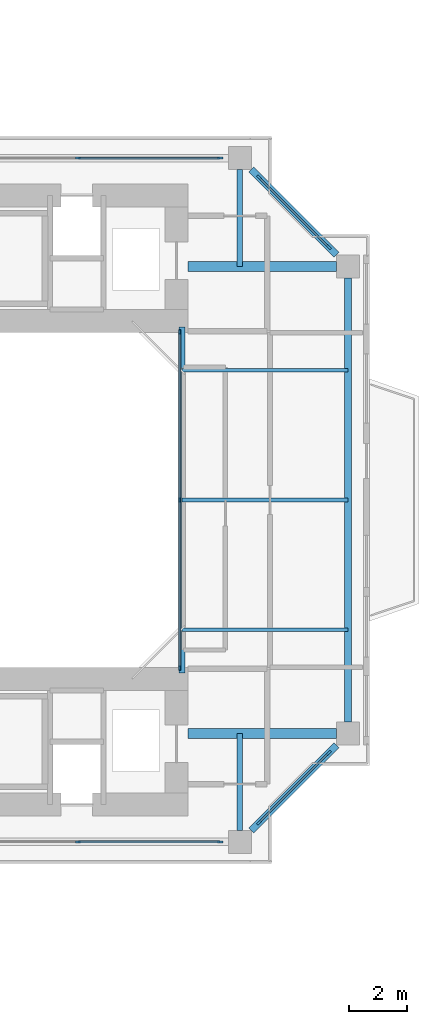
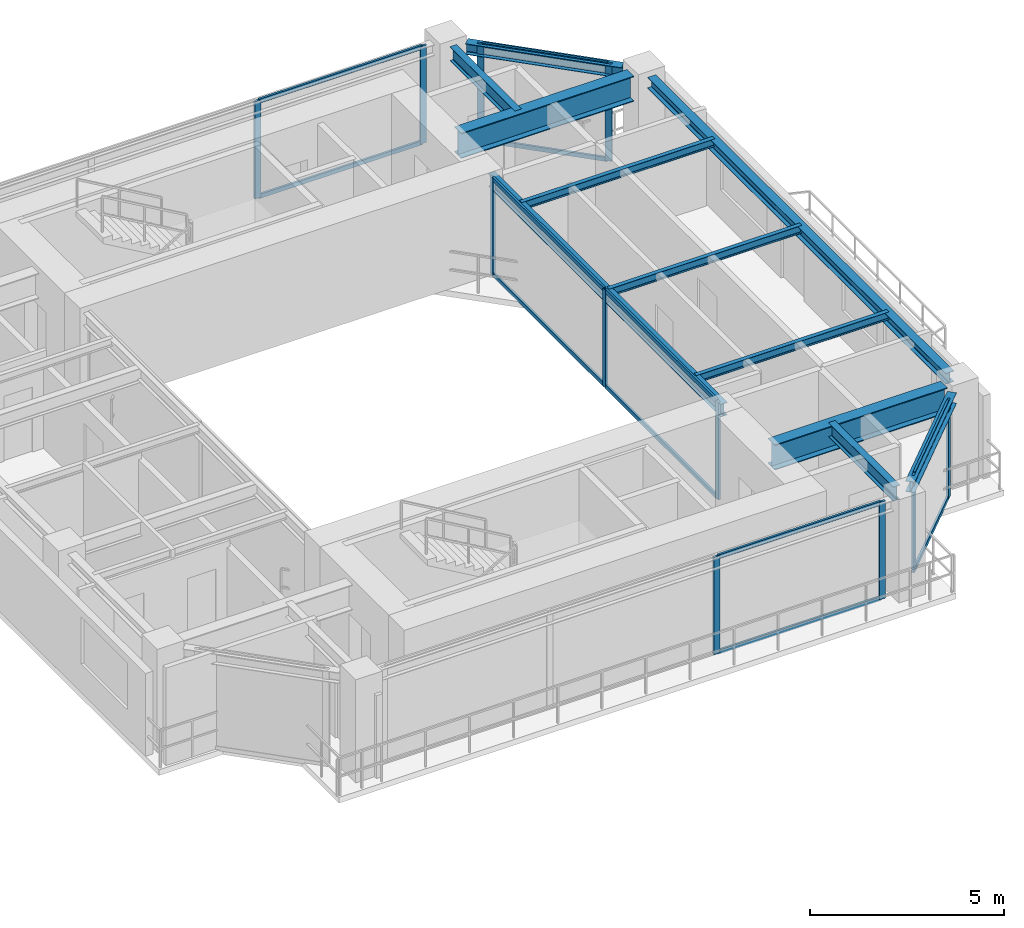
# One storey, part 11 of 23: 23 members, 11 beams, 5 elements without a shape of their own.
"""IFC4 building model written with IfcOpenShell, lengths in metres."""

from ifc_helpers import new_model, si_unit, direction, frame, origin, origin_2d, place, context, subcontext, project, spatial, rectangle, i_section, extrude, source, transform, mapped, material, layer, layer_set, material_profile, profile_set, type_object, element, aggregate, save


model = new_model("IFC4")

# Units and contexts
model_context = context("Model", 3, precision=1e-05, world=origin(), true_north=direction((0.0, 1.0)))
body_context = subcontext(model_context, "Body", "Model", "MODEL_VIEW")
ifc_project = project(units=[si_unit("LENGTHUNIT", "METRE"), si_unit("AREAUNIT", "SQUARE_METRE"), si_unit("VOLUMEUNIT", "CUBIC_METRE"), si_unit("PLANEANGLEUNIT", "RADIAN"), si_unit("MASSUNIT", "GRAM", prefix="KILO"), si_unit("THERMODYNAMICTEMPERATUREUNIT", "KELVIN"), si_unit("POWERUNIT", "WATT")], contexts=[model_context])

# Site, building, storey
site_placement = place(None, origin())
site = spatial("IfcSite", under=ifc_project, at=site_placement, CompositionType="ELEMENT")
building_placement = place(site_placement, origin())
building = spatial("IfcBuilding", under=site, at=building_placement, Name="Qiaomeng Ring Towers", CompositionType="ELEMENT")
storey_placement = place(building_placement, frame((0.0, 0.0, 86.0)))
storey = spatial("IfcBuildingStorey", under=building, at=storey_placement, Name="L24", CompositionType="ELEMENT", Elevation=86.0)

# Beams
ifc_material_1 = material(Name="Steel Q355B", Category="steel")
ifc_material_profile_1 = material_profile(ifc_material_1, i_section(OverallWidth=0.199951171875, OverallDepth=0.39990234375, WebThickness=0.008056640625, FlangeThickness=0.012939453125, FilletRadius=0.01611328125, at=origin_2d()), Name="HN 400x200x8x13")
ifc_profile_set_1 = profile_set([ifc_material_profile_1], Name="Steel Q355B")
beam_type_1 = type_object("IfcBeamType", Name="STR-BM-HN400", PredefinedType="SPANDREL", material=ifc_profile_set_1)
shared_shape_1 = source(origin(), body_context, "Body", "SweptSolid", [
    extrude(i_section(OverallWidth=0.199951171875, OverallDepth=0.39990234375, WebThickness=0.008056640625, FlangeThickness=0.012939453125, FilletRadius=0.01611328125, at=origin_2d()), origin(), (0.0, 0.0, 1.0), 12.0),
])
beam_1_placement = place(storey_placement, frame((66.60009765625, 17.0, 2.8701171875), z_axis=(0.0, 1.0, 0.0), x_axis=(-1.0, 0.0, 0.0)))
element("IfcBeam", 1, at=beam_1_placement, inside=storey, type_object=beam_type_1, Name="L24 beam STR-BM-L24-T2-WELL-E", PredefinedType="SPANDREL", context=body_context, shape_type="MappedRepresentation", body=[
    mapped(shared_shape_1, transform((0.0, 0.0, 0.0), x_axis=(1.0, 0.0, 0.0), y_axis=(0.0, 1.0, 0.0), z_axis=(0.0, 0.0, 1.0), scale=1.0)),
])
ifc_material_profile_2 = material_profile(ifc_material_1, i_section(OverallWidth=0.25, OverallDepth=0.340087890625, WebThickness=0.009033203125, FlangeThickness=0.013916015625, FilletRadius=0.02001953125, at=origin_2d()), Name="HM 340x250x9x14")
ifc_profile_set_2 = profile_set([ifc_material_profile_2], Name="Steel Q355B")
beam_type_2 = type_object("IfcBeamType", Name="STR-BM-HM340", PredefinedType="SPANDREL", material=ifc_profile_set_2)
shared_shape_2 = source(origin(), body_context, "Body", "SweptSolid", [
    extrude(i_section(OverallWidth=0.25, OverallDepth=0.340087890625, WebThickness=0.009033203125, FlangeThickness=0.013916015625, FilletRadius=0.02001953125, at=origin_2d()), origin(), (0.0, 0.0, 1.0), 15.40185546875),
])
beam_2_placement = place(storey_placement, frame((72.35009765625, 15.299072265625, 2.89990234375), z_axis=(0.0, 1.0, 0.0), x_axis=(-1.0, 0.0, 0.0)))
element("IfcBeam", 2, at=beam_2_placement, inside=storey, type_object=beam_type_2, Name="L24 beam STR-SP-L24-T2-E1-E2", PredefinedType="SPANDREL", context=body_context, shape_type="MappedRepresentation", body=[
    mapped(shared_shape_2, transform((0.0, 0.0, 0.0), x_axis=(1.0, 0.0, 0.0), y_axis=(0.0, 1.0, 0.0), z_axis=(0.0, 0.0, 1.0), scale=1.0)),
])
shared_shape_3 = source(origin(), body_context, "Body", "SweptSolid", [
    extrude(i_section(OverallWidth=0.25, OverallDepth=0.340087890625, WebThickness=0.009033203125, FlangeThickness=0.013916015625, FilletRadius=0.02001953125, at=origin_2d()), origin(), (0.0, 0.0, 1.0), 4.173828125),
])
for number, where, z_axis, x_axis, name in (
    (3, (68.999267578125, 11.54931640625, 2.89990234375), (0.707106781187, 0.707106781187, 0.0), (-0.707106781187, 0.707106781187, 0.0), "L24 beam STR-SP-L24-T2-S2-E1"),
    (4, (71.95068359375, 31.499267578125, 2.89990234375), (-0.707106781187, 0.707106781187, 0.0), (-0.707106781187, -0.707106781187, 0.0), "L24 beam STR-SP-L24-T2-E2-N2"),
):
    element("IfcBeam", number, at=place(storey_placement, frame(where, z_axis=z_axis, x_axis=x_axis)), inside=storey, type_object=beam_type_2, Name=name, PredefinedType="SPANDREL", context=body_context, shape_type="MappedRepresentation", body=[
        mapped(shared_shape_3, transform((0.0, 0.0, 0.0), x_axis=(1.0, 0.0, 0.0), y_axis=(0.0, 1.0, 0.0), z_axis=(0.0, 0.0, 1.0), scale=1.0)),
    ])
ifc_material_2 = material(Name="Steel Q390GJC", Category="steel")
ifc_material_profile_3 = material_profile(ifc_material_2, i_section(OverallWidth=0.35009765625, OverallDepth=0.800048828125, WebThickness=0.01611328125, FlangeThickness=0.028076171875, at=origin_2d()), Name="WH 800x350x16x28")
ifc_profile_set_3 = profile_set([ifc_material_profile_3], Name="Steel Q390GJC")
beam_type_3 = type_object("IfcBeamType", Name="STR-BM-WH800", PredefinedType="BEAM", material=ifc_profile_set_3)
shared_shape_4 = source(origin(), body_context, "Body", "SweptSolid", [
    extrude(i_section(OverallWidth=0.35009765625, OverallDepth=0.800048828125, WebThickness=0.01611328125, FlangeThickness=0.028076171875, at=origin_2d()), origin(), (0.0, 0.0, 1.0), 5.15087890625),
])
for number, where, z_axis, x_axis, name in (
    (5, (66.800048828125, 14.89990234375, 2.669921875), (1.0, 0.0, 0.0), (0.0, 1.0, 0.0), "L24 beam STR-BM-L24-T2-RAD-E1"),
    (6, (66.800048828125, 31.10009765625, 2.669921875), (1.0, 0.0, 0.0), (0.0, 1.0, 0.0), "L24 beam STR-BM-L24-T2-RAD-E2"),
):
    element("IfcBeam", number, at=place(storey_placement, frame(where, z_axis=z_axis, x_axis=x_axis)), inside=storey, type_object=beam_type_3, Name=name, PredefinedType="BEAM", context=body_context, shape_type="MappedRepresentation", body=[
        mapped(shared_shape_4, transform((0.0, 0.0, 0.0), x_axis=(1.0, 0.0, 0.0), y_axis=(0.0, 1.0, 0.0), z_axis=(0.0, 0.0, 1.0), scale=1.0)),
    ])
ifc_material_profile_4 = material_profile(ifc_material_1, i_section(OverallWidth=0.199951171875, OverallDepth=0.449951171875, WebThickness=0.009033203125, FlangeThickness=0.013916015625, FilletRadius=0.01806640625, at=origin_2d()), Name="HN 450x200x9x14")
ifc_profile_set_4 = profile_set([ifc_material_profile_4], Name="Steel Q355B")
beam_type_4 = type_object("IfcBeamType", Name="STR-BM-HN450", PredefinedType="SPANDREL", material=ifc_profile_set_4)
shared_shape_5 = source(origin(), body_context, "Body", "SweptSolid", [
    extrude(i_section(OverallWidth=0.199951171875, OverallDepth=0.449951171875, WebThickness=0.009033203125, FlangeThickness=0.013916015625, FilletRadius=0.01806640625, at=origin_2d()), origin(), (0.0, 0.0, 1.0), 3.350830078125),
])
for number, where, z_axis, x_axis, name in (
    (7, (68.60009765625, 34.450927734375, 2.844970703125), (0.0, -1.0, 0.0), (1.0, 0.0, 0.0), "L24 beam STR-BM-L24-T2-RAD-N2"),
    (8, (68.60009765625, 11.549072265625, 2.844970703125), (0.0, 1.0, 0.0), (-1.0, 0.0, 0.0), "L24 beam STR-BM-L24-T2-RAD-S2"),
):
    element("IfcBeam", number, at=place(storey_placement, frame(where, z_axis=z_axis, x_axis=x_axis)), inside=storey, type_object=beam_type_4, Name=name, PredefinedType="SPANDREL", context=body_context, shape_type="MappedRepresentation", body=[
        mapped(shared_shape_5, transform((0.0, 0.0, 0.0), x_axis=(1.0, 0.0, 0.0), y_axis=(0.0, 1.0, 0.0), z_axis=(0.0, 0.0, 1.0), scale=1.0)),
    ])
ifc_material_profile_5 = material_profile(ifc_material_1, i_section(OverallWidth=0.125, OverallDepth=0.25, WebThickness=0.006103515625, FlangeThickness=0.009033203125, FilletRadius=0.011962890625, at=origin_2d()), Name="HN 250x125x6x9")
ifc_profile_set_5 = profile_set([ifc_material_profile_5], Name="Steel Q355B")
beam_type_5 = type_object("IfcBeamType", Name="STR-BM-HN250", PredefinedType="JOIST", material=ifc_profile_set_5)
shared_shape_6 = source(origin(), body_context, "Body", "SweptSolid", [
    extrude(i_section(OverallWidth=0.125, OverallDepth=0.25, WebThickness=0.006103515625, FlangeThickness=0.009033203125, FilletRadius=0.011962890625, at=origin_2d()), origin(), (0.0, 0.0, 1.0), 5.75),
])
for number, where, z_axis, x_axis, name in (
    (9, (66.60009765625, 18.5, 2.945068359375), (1.0, 0.0, 0.0), (0.0, 1.0, 0.0), "L24 beam STR-JST-L24-T2E-1"),
    (10, (66.60009765625, 23.0, 2.945068359375), (1.0, 0.0, 0.0), (0.0, 1.0, 0.0), "L24 beam STR-JST-L24-T2E-2"),
    (11, (66.60009765625, 27.5, 2.945068359375), (1.0, 0.0, 0.0), (0.0, 1.0, 0.0), "L24 beam STR-JST-L24-T2E-3"),
):
    element("IfcBeam", number, at=place(storey_placement, frame(where, z_axis=z_axis, x_axis=x_axis)), inside=storey, type_object=beam_type_5, Name=name, PredefinedType="JOIST", context=body_context, shape_type="MappedRepresentation", body=[
        mapped(shared_shape_6, transform((0.0, 0.0, 0.0), x_axis=(1.0, 0.0, 0.0), y_axis=(0.0, 1.0, 0.0), z_axis=(0.0, 0.0, 1.0), scale=1.0)),
    ])

# Curtain wall, members
ifc_material_3 = material(Name="Fluorocarbon dark-grey aluminium", Category="aluminium")
ifc_layer_1 = layer(ifc_material_3, 0.139892578125, Name="Fluorocarbon dark-grey aluminium")
ifc_layer_set_1 = layer_set([ifc_layer_1], Name="Fluorocarbon dark-grey aluminium")
curtain_wall_type_1 = type_object("IfcCurtainWallType", Name="ARC-CW-4", PredefinedType="NOTDEFINED", material=ifc_layer_set_1)
curtain_wall_1_placement = place(storey_placement, origin())
curtain_wall_1 = element("IfcCurtainWall", 12, at=curtain_wall_1_placement, inside=storey, type_object=curtain_wall_type_1, Name="L24 Curtain Wall CW4", PredefinedType="NOTDEFINED")
ifc_material_profile_6 = material_profile(ifc_material_3, rectangle(XDim=0.06494140625, YDim=0.159912109375, at=origin_2d()), Name="ALU MULL 65x160")
ifc_profile_set_6 = profile_set([ifc_material_profile_6], Name="Fluorocarbon dark-grey aluminium")
member_type_1 = type_object("IfcMemberType", Name="ARC-CWM-140", PredefinedType="MULLION", material=ifc_profile_set_6)
shared_shape_7 = source(origin(), body_context, "Body", "SweptSolid", [
    extrude(rectangle(XDim=0.06494140625, YDim=0.159912109375, at=origin_2d()), origin(), (0.0, 0.0, 1.0), 3.070068359375),
])
member_1_placement = place(storey_placement, frame((66.52001953125, 17.1826171875, 0.0), z_axis=(0.0, 0.0, 1.0), x_axis=(-1.0, 0.0, 0.0)))
member_1 = element("IfcMember", 13, at=member_1_placement, type_object=member_type_1, Name="CW4 mullion 1", PredefinedType="MULLION", context=body_context, shape_type="MappedRepresentation", body=[
    mapped(shared_shape_7, transform((0.0, 0.0, 0.0), x_axis=(1.0, 0.0, 0.0), y_axis=(0.0, 1.0, 0.0), z_axis=(0.0, 0.0, 1.0), scale=1.0)),
])
member_2_placement = place(storey_placement, frame((66.52001953125, 23.0, 0.0), z_axis=(0.0, 0.0, 1.0), x_axis=(-1.0, 0.0, 0.0)))
member_2 = element("IfcMember", 14, at=member_2_placement, type_object=member_type_1, Name="CW4 mullion 2", PredefinedType="MULLION", context=body_context, shape_type="MappedRepresentation", body=[
    mapped(shared_shape_7, transform((0.0, 0.0, 0.0), x_axis=(1.0, 0.0, 0.0), y_axis=(0.0, 1.0, 0.0), z_axis=(0.0, 0.0, 1.0), scale=1.0)),
])
member_3_placement = place(storey_placement, frame((66.52001953125, 28.8173828125, 0.0), z_axis=(0.0, 0.0, 1.0), x_axis=(-1.0, 0.0, 0.0)))
member_3 = element("IfcMember", 15, at=member_3_placement, type_object=member_type_1, Name="CW4 mullion 3", PredefinedType="MULLION", context=body_context, shape_type="MappedRepresentation", body=[
    mapped(shared_shape_7, transform((0.0, 0.0, 0.0), x_axis=(1.0, 0.0, 0.0), y_axis=(0.0, 1.0, 0.0), z_axis=(0.0, 0.0, 1.0), scale=1.0)),
])
ifc_material_profile_7 = material_profile(ifc_material_3, rectangle(XDim=0.06494140625, YDim=0.1298828125, at=origin_2d()), Name="ALU TRAN 65x130")
ifc_profile_set_7 = profile_set([ifc_material_profile_7], Name="Fluorocarbon dark-grey aluminium")
member_type_2 = type_object("IfcMemberType", Name="ARC-CWT-120", PredefinedType="USERDEFINED", material=ifc_profile_set_7)
shared_shape_8 = source(origin(), body_context, "Body", "SweptSolid", [
    extrude(rectangle(XDim=0.06494140625, YDim=0.1298828125, at=origin_2d()), origin(), (0.0, 0.0, 1.0), 5.75244140625),
])
member_4_placement = place(storey_placement, frame((66.52001953125, 17.215087890625, 0.032470703125), z_axis=(0.0, 1.0, 0.0), x_axis=(-1.0, 0.0, 0.0)))
member_4 = element("IfcMember", 16, at=member_4_placement, type_object=member_type_2, Name="CW4 transom 1.1", ObjectType="TRANSOM", PredefinedType="USERDEFINED", context=body_context, shape_type="MappedRepresentation", body=[
    mapped(shared_shape_8, transform((0.0, 0.0, 0.0), x_axis=(1.0, 0.0, 0.0), y_axis=(0.0, 1.0, 0.0), z_axis=(0.0, 0.0, 1.0), scale=1.0)),
])
member_5_placement = place(storey_placement, frame((66.52001953125, 17.215087890625, 3.03759765625), z_axis=(0.0, 1.0, 0.0), x_axis=(-1.0, 0.0, 0.0)))
member_5 = element("IfcMember", 17, at=member_5_placement, type_object=member_type_2, Name="CW4 transom 1.2", ObjectType="TRANSOM", PredefinedType="USERDEFINED", context=body_context, shape_type="MappedRepresentation", body=[
    mapped(shared_shape_8, transform((0.0, 0.0, 0.0), x_axis=(1.0, 0.0, 0.0), y_axis=(0.0, 1.0, 0.0), z_axis=(0.0, 0.0, 1.0), scale=1.0)),
])
member_6_placement = place(storey_placement, frame((66.52001953125, 23.032470703125, 0.032470703125), z_axis=(0.0, 1.0, 0.0), x_axis=(-1.0, 0.0, 0.0)))
member_6 = element("IfcMember", 18, at=member_6_placement, type_object=member_type_2, Name="CW4 transom 2.1", ObjectType="TRANSOM", PredefinedType="USERDEFINED", context=body_context, shape_type="MappedRepresentation", body=[
    mapped(shared_shape_8, transform((0.0, 0.0, 0.0), x_axis=(1.0, 0.0, 0.0), y_axis=(0.0, 1.0, 0.0), z_axis=(0.0, 0.0, 1.0), scale=1.0)),
])
member_7_placement = place(storey_placement, frame((66.52001953125, 23.032470703125, 3.03759765625), z_axis=(0.0, 1.0, 0.0), x_axis=(-1.0, 0.0, 0.0)))
member_7 = element("IfcMember", 19, at=member_7_placement, type_object=member_type_2, Name="CW4 transom 2.2", ObjectType="TRANSOM", PredefinedType="USERDEFINED", context=body_context, shape_type="MappedRepresentation", body=[
    mapped(shared_shape_8, transform((0.0, 0.0, 0.0), x_axis=(1.0, 0.0, 0.0), y_axis=(0.0, 1.0, 0.0), z_axis=(0.0, 0.0, 1.0), scale=1.0)),
])
aggregate(curtain_wall_1, [member_1, member_2, member_3, member_4, member_5, member_6, member_7])

ifc_layer_2 = layer(ifc_material_3, 0.14990234375, Name="Fluorocarbon dark-grey aluminium")
ifc_layer_set_2 = layer_set([ifc_layer_2], Name="Fluorocarbon dark-grey aluminium")
curtain_wall_type_2 = type_object("IfcCurtainWallType", Name="ARC-CW-5", PredefinedType="NOTDEFINED", material=ifc_layer_set_2)
curtain_wall_2_placement = place(storey_placement, origin())
curtain_wall_2 = element("IfcCurtainWall", 20, at=curtain_wall_2_placement, inside=storey, type_object=curtain_wall_type_2, Name="L24 Curtain Wall CW5", PredefinedType="NOTDEFINED")
ifc_material_profile_8 = material_profile(ifc_material_3, rectangle(XDim=0.070068359375, YDim=0.179931640625, at=origin_2d()), Name="ALU MULL 70x180")
ifc_profile_set_8 = profile_set([ifc_material_profile_8], Name="Fluorocarbon dark-grey aluminium")
member_type_3 = type_object("IfcMemberType", Name="ARC-CWM-160", PredefinedType="MULLION", material=ifc_profile_set_8)
shared_shape_9 = source(origin(), body_context, "Body", "SweptSolid", [
    extrude(rectangle(XDim=0.070068359375, YDim=0.179931640625, at=origin_2d()), origin(), (0.0, 0.0, 1.0), 3.070068359375),
])
member_8_placement = place(storey_placement, frame((62.986572265625, 34.85009765625, 0.0), z_axis=(0.0, 0.0, 1.0), x_axis=(0.0, 1.0, 0.0)))
member_8 = element("IfcMember", 21, at=member_8_placement, type_object=member_type_3, Name="CW5 mullion 3", PredefinedType="MULLION", context=body_context, shape_type="MappedRepresentation", body=[
    mapped(shared_shape_9, transform((0.0, 0.0, 0.0), x_axis=(1.0, 0.0, 0.0), y_axis=(0.0, 1.0, 0.0), z_axis=(0.0, 0.0, 1.0), scale=1.0)),
])
member_9_placement = place(storey_placement, frame((67.925048828125, 34.85009765625, 0.0), z_axis=(0.0, 0.0, 1.0), x_axis=(0.0, 1.0, 0.0)))
member_9 = element("IfcMember", 22, at=member_9_placement, type_object=member_type_3, Name="CW5 mullion 4", PredefinedType="MULLION", context=body_context, shape_type="MappedRepresentation", body=[
    mapped(shared_shape_9, transform((0.0, 0.0, 0.0), x_axis=(1.0, 0.0, 0.0), y_axis=(0.0, 1.0, 0.0), z_axis=(0.0, 0.0, 1.0), scale=1.0)),
])

curtain_wall_3_placement = place(storey_placement, origin())
curtain_wall_3 = element("IfcCurtainWall", 23, at=curtain_wall_3_placement, inside=storey, type_object=curtain_wall_type_2, Name="L24 Curtain Wall CW5", PredefinedType="NOTDEFINED")
member_10_placement = place(storey_placement, frame((69.2646484375, 11.814697265625, 0.0), z_axis=(0.0, 0.0, 1.0), x_axis=(-0.707106781187, 0.707106781187, 0.0)))
member_10 = element("IfcMember", 24, at=member_10_placement, type_object=member_type_3, Name="CW5 mullion 1", PredefinedType="MULLION", context=body_context, shape_type="MappedRepresentation", body=[
    mapped(shared_shape_9, transform((0.0, 0.0, 0.0), x_axis=(1.0, 0.0, 0.0), y_axis=(0.0, 1.0, 0.0), z_axis=(0.0, 0.0, 1.0), scale=1.0)),
])
member_11_placement = place(storey_placement, frame((71.685302734375, 14.2353515625, 0.0), z_axis=(0.0, 0.0, 1.0), x_axis=(-0.707106781187, 0.707106781187, 0.0)))
member_11 = element("IfcMember", 25, at=member_11_placement, type_object=member_type_3, Name="CW5 mullion 2", PredefinedType="MULLION", context=body_context, shape_type="MappedRepresentation", body=[
    mapped(shared_shape_9, transform((0.0, 0.0, 0.0), x_axis=(1.0, 0.0, 0.0), y_axis=(0.0, 1.0, 0.0), z_axis=(0.0, 0.0, 1.0), scale=1.0)),
])

curtain_wall_4_placement = place(storey_placement, origin())
curtain_wall_4 = element("IfcCurtainWall", 26, at=curtain_wall_4_placement, inside=storey, type_object=curtain_wall_type_2, Name="L24 Curtain Wall CW5", PredefinedType="NOTDEFINED")
member_12_placement = place(storey_placement, frame((71.685302734375, 31.7646484375, 0.0), z_axis=(0.0, 0.0, 1.0), x_axis=(-0.707106781187, -0.707106781187, 0.0)))
member_12 = element("IfcMember", 27, at=member_12_placement, type_object=member_type_3, Name="CW5 mullion 1", PredefinedType="MULLION", context=body_context, shape_type="MappedRepresentation", body=[
    mapped(shared_shape_9, transform((0.0, 0.0, 0.0), x_axis=(1.0, 0.0, 0.0), y_axis=(0.0, 1.0, 0.0), z_axis=(0.0, 0.0, 1.0), scale=1.0)),
])
member_13_placement = place(storey_placement, frame((69.2646484375, 34.185302734375, 0.0), z_axis=(0.0, 0.0, 1.0), x_axis=(-0.707106781187, -0.707106781187, 0.0)))
member_13 = element("IfcMember", 28, at=member_13_placement, type_object=member_type_3, Name="CW5 mullion 2", PredefinedType="MULLION", context=body_context, shape_type="MappedRepresentation", body=[
    mapped(shared_shape_9, transform((0.0, 0.0, 0.0), x_axis=(1.0, 0.0, 0.0), y_axis=(0.0, 1.0, 0.0), z_axis=(0.0, 0.0, 1.0), scale=1.0)),
])

curtain_wall_5_placement = place(storey_placement, origin())
curtain_wall_5 = element("IfcCurtainWall", 29, at=curtain_wall_5_placement, inside=storey, type_object=curtain_wall_type_2, Name="L24 Curtain Wall CW5", PredefinedType="NOTDEFINED")
member_14_placement = place(storey_placement, frame((62.986572265625, 11.14990234375, 0.0), z_axis=(0.0, 0.0, 1.0), x_axis=(0.0, 1.0, 0.0)))
member_14 = element("IfcMember", 30, at=member_14_placement, type_object=member_type_3, Name="CW5 mullion 3", PredefinedType="MULLION", context=body_context, shape_type="MappedRepresentation", body=[
    mapped(shared_shape_9, transform((0.0, 0.0, 0.0), x_axis=(1.0, 0.0, 0.0), y_axis=(0.0, 1.0, 0.0), z_axis=(0.0, 0.0, 1.0), scale=1.0)),
])
member_15_placement = place(storey_placement, frame((67.925048828125, 11.14990234375, 0.0), z_axis=(0.0, 0.0, 1.0), x_axis=(0.0, 1.0, 0.0)))
member_15 = element("IfcMember", 31, at=member_15_placement, type_object=member_type_3, Name="CW5 mullion 4", PredefinedType="MULLION", context=body_context, shape_type="MappedRepresentation", body=[
    mapped(shared_shape_9, transform((0.0, 0.0, 0.0), x_axis=(1.0, 0.0, 0.0), y_axis=(0.0, 1.0, 0.0), z_axis=(0.0, 0.0, 1.0), scale=1.0)),
])

# Member
shared_shape_10 = source(origin(), body_context, "Body", "SweptSolid", [
    extrude(rectangle(XDim=0.06494140625, YDim=0.1298828125, at=origin_2d()), origin(), (0.0, 0.0, 1.0), 4.8681640625),
])
member_16_placement = place(storey_placement, frame((63.021728515625, 34.85009765625, 0.032470703125), z_axis=(1.0, 0.0, 0.0), x_axis=(0.0, 1.0, 0.0)))
member_16 = element("IfcMember", 32, at=member_16_placement, type_object=member_type_2, Name="CW5 transom 3.1", ObjectType="TRANSOM", PredefinedType="USERDEFINED", context=body_context, shape_type="MappedRepresentation", body=[
    mapped(shared_shape_10, transform((0.0, 0.0, 0.0), x_axis=(1.0, 0.0, 0.0), y_axis=(0.0, 1.0, 0.0), z_axis=(0.0, 0.0, 1.0), scale=1.0)),
])

member_17_placement = place(storey_placement, frame((63.021728515625, 34.85009765625, 3.03759765625), z_axis=(1.0, 0.0, 0.0), x_axis=(0.0, 1.0, 0.0)))
member_17 = element("IfcMember", 33, at=member_17_placement, type_object=member_type_2, Name="CW5 transom 3.2", ObjectType="TRANSOM", PredefinedType="USERDEFINED", context=body_context, shape_type="MappedRepresentation", body=[
    mapped(shared_shape_10, transform((0.0, 0.0, 0.0), x_axis=(1.0, 0.0, 0.0), y_axis=(0.0, 1.0, 0.0), z_axis=(0.0, 0.0, 1.0), scale=1.0)),
])

aggregate(curtain_wall_2, [member_8, member_9, member_16, member_17])

member_18_placement = place(storey_placement, frame((63.021728515625, 11.14990234375, 0.032470703125), z_axis=(1.0, 0.0, 0.0), x_axis=(0.0, 1.0, 0.0)))
member_18 = element("IfcMember", 34, at=member_18_placement, type_object=member_type_2, Name="CW5 transom 3.1", ObjectType="TRANSOM", PredefinedType="USERDEFINED", context=body_context, shape_type="MappedRepresentation", body=[
    mapped(shared_shape_10, transform((0.0, 0.0, 0.0), x_axis=(1.0, 0.0, 0.0), y_axis=(0.0, 1.0, 0.0), z_axis=(0.0, 0.0, 1.0), scale=1.0)),
])

member_19_placement = place(storey_placement, frame((63.021728515625, 11.14990234375, 3.03759765625), z_axis=(1.0, 0.0, 0.0), x_axis=(0.0, 1.0, 0.0)))
member_19 = element("IfcMember", 35, at=member_19_placement, type_object=member_type_2, Name="CW5 transom 3.2", ObjectType="TRANSOM", PredefinedType="USERDEFINED", context=body_context, shape_type="MappedRepresentation", body=[
    mapped(shared_shape_10, transform((0.0, 0.0, 0.0), x_axis=(1.0, 0.0, 0.0), y_axis=(0.0, 1.0, 0.0), z_axis=(0.0, 0.0, 1.0), scale=1.0)),
])

aggregate(curtain_wall_5, [member_14, member_15, member_18, member_19])

shared_shape_11 = source(origin(), body_context, "Body", "SweptSolid", [
    extrude(rectangle(XDim=0.06494140625, YDim=0.1298828125, at=origin_2d()), origin(), (0.0, 0.0, 1.0), 3.352783203125),
])
member_20_placement = place(storey_placement, frame((69.28955078125, 11.839599609375, 0.032470703125), z_axis=(0.707106781187, 0.707106781187, 0.0), x_axis=(-0.707106781187, 0.707106781187, 0.0)))
member_20 = element("IfcMember", 36, at=member_20_placement, type_object=member_type_2, Name="CW5 transom 1.1", ObjectType="TRANSOM", PredefinedType="USERDEFINED", context=body_context, shape_type="MappedRepresentation", body=[
    mapped(shared_shape_11, transform((0.0, 0.0, 0.0), x_axis=(1.0, 0.0, 0.0), y_axis=(0.0, 1.0, 0.0), z_axis=(0.0, 0.0, 1.0), scale=1.0)),
])

member_21_placement = place(storey_placement, frame((69.28955078125, 11.839599609375, 3.03759765625), z_axis=(0.707106781187, 0.707106781187, 0.0), x_axis=(-0.707106781187, 0.707106781187, 0.0)))
member_21 = element("IfcMember", 37, at=member_21_placement, type_object=member_type_2, Name="CW5 transom 1.2", ObjectType="TRANSOM", PredefinedType="USERDEFINED", context=body_context, shape_type="MappedRepresentation", body=[
    mapped(shared_shape_11, transform((0.0, 0.0, 0.0), x_axis=(1.0, 0.0, 0.0), y_axis=(0.0, 1.0, 0.0), z_axis=(0.0, 0.0, 1.0), scale=1.0)),
])

aggregate(curtain_wall_3, [member_10, member_11, member_20, member_21])

member_22_placement = place(storey_placement, frame((71.660400390625, 31.78955078125, 0.032470703125), z_axis=(-0.707106781187, 0.707106781187, 0.0), x_axis=(-0.707106781187, -0.707106781187, 0.0)))
member_22 = element("IfcMember", 38, at=member_22_placement, type_object=member_type_2, Name="CW5 transom 1.1", ObjectType="TRANSOM", PredefinedType="USERDEFINED", context=body_context, shape_type="MappedRepresentation", body=[
    mapped(shared_shape_11, transform((0.0, 0.0, 0.0), x_axis=(1.0, 0.0, 0.0), y_axis=(0.0, 1.0, 0.0), z_axis=(0.0, 0.0, 1.0), scale=1.0)),
])

member_23_placement = place(storey_placement, frame((71.660400390625, 31.78955078125, 3.03759765625), z_axis=(-0.707106781187, 0.707106781187, 0.0), x_axis=(-0.707106781187, -0.707106781187, 0.0)))
member_23 = element("IfcMember", 39, at=member_23_placement, type_object=member_type_2, Name="CW5 transom 1.2", ObjectType="TRANSOM", PredefinedType="USERDEFINED", context=body_context, shape_type="MappedRepresentation", body=[
    mapped(shared_shape_11, transform((0.0, 0.0, 0.0), x_axis=(1.0, 0.0, 0.0), y_axis=(0.0, 1.0, 0.0), z_axis=(0.0, 0.0, 1.0), scale=1.0)),
])

aggregate(curtain_wall_4, [member_12, member_13, member_22, member_23])

save(model, "model.ifc")
